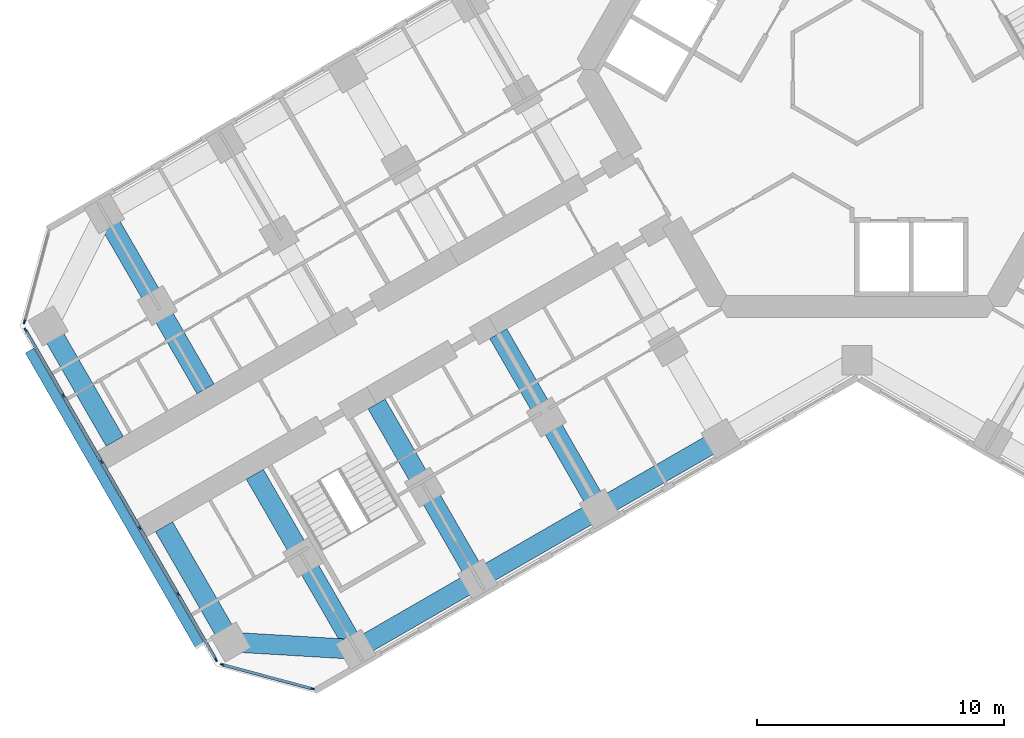
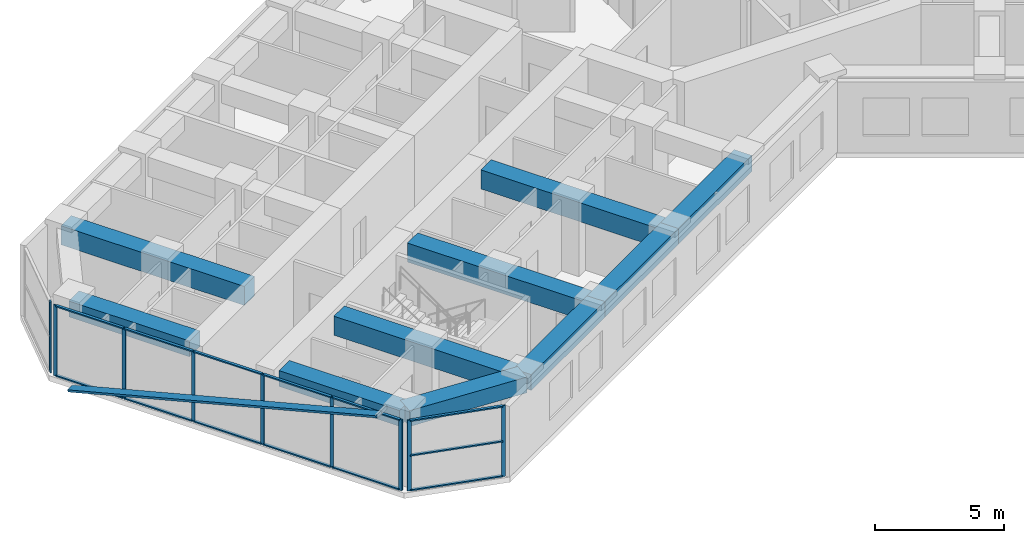
# One storey, part 2 of 20: 23 members, 10 beams, 3 elements without a shape of their own.
"""IFC4 building model written with IfcOpenShell, lengths in metres."""

from ifc_helpers import new_model, si_unit, direction, frame, origin, origin_2d, place, context, subcontext, project, spatial, rectangle, extrude, material, material_profile, profile_set, type_object, element, aggregate, save


model = new_model("IFC4")

# Units and contexts
model_context = context("Model", 3, precision=1e-05, world=origin(), true_north=direction((0.0, 1.0)))
body_context = subcontext(model_context, "Body", "Model", "MODEL_VIEW")
ifc_project = project(units=[si_unit("LENGTHUNIT", "METRE"), si_unit("AREAUNIT", "SQUARE_METRE"), si_unit("VOLUMEUNIT", "CUBIC_METRE"), si_unit("PLANEANGLEUNIT", "RADIAN"), si_unit("MASSUNIT", "GRAM", prefix="KILO")], contexts=[model_context])

# Site, building, storey
site_placement = place(None, origin())
site = spatial("IfcSite", under=ifc_project, at=site_placement, CompositionType="ELEMENT")
building_placement = place(site_placement, origin())
building = spatial("IfcBuilding", under=site, at=building_placement, Name="Kosmar Iwan School Tower", CompositionType="ELEMENT")
storey_placement = place(building_placement, frame((0.0, 0.0, 123.800048828125)))
storey = spatial("IfcBuildingStorey", under=building, at=storey_placement, Name="L30", CompositionType="ELEMENT", Elevation=123.800048828125)

# Member
ifc_material_1 = material(Name="Black anodised aluminium", Category="aluminium")
ifc_material_profile_1 = material_profile(ifc_material_1, rectangle(XDim=0.10009765625, YDim=0.39990234375, at=origin_2d()), Name="FIN 100x400")
ifc_profile_set_1 = profile_set([ifc_material_profile_1], Name="Black anodised aluminium")
member_type_1 = type_object("IfcMemberType", Name="Diagonal fin 100x400", PredefinedType="USERDEFINED", material=ifc_profile_set_1)
member_1_placement = place(storey_placement, frame((-33.54345703125, -11.40087890625, -0.150146484375), z_axis=(0.483793446988, -0.837970316603, 0.25248692866), x_axis=(-0.126241714543, 0.218661104574, 0.96760030532)))
element("IfcMember", 1, at=member_1_placement, inside=storey, type_object=member_type_1, Name="Diagonal fin L30-F13", ObjectType="FIN", PredefinedType="USERDEFINED", context=body_context, shape_type="SweptSolid", body=[
    extrude(rectangle(XDim=0.10009765625, YDim=0.39990234375, at=origin_2d()), origin(), (0.0, 0.0, 1.0), 14.258544921875),
])

# Curtain wall, member
ifc_material_2 = material(Name="Dark glass in black aluminium frame", Category="aluminium")
curtain_wall_type_1 = type_object("IfcCurtainWallType", Name="Chamfer curtain wall dark glass", PredefinedType="USERDEFINED", material=ifc_material_2)
curtain_wall_1_placement = place(storey_placement, origin())
curtain_wall_1 = element("IfcCurtainWall", 2, at=curtain_wall_1_placement, inside=storey, type_object=curtain_wall_type_1, Name="Curtain wall L30-F12", ObjectType="FACETED CURTAIN WALL", PredefinedType="USERDEFINED")
ifc_material_3 = material(Name="Black anodised aluminium", Category="aluminium")
ifc_material_profile_2 = material_profile(ifc_material_3, rectangle(XDim=0.06005859375, YDim=0.159912109375, at=origin_2d()), Name="MULLION 60x160")
ifc_profile_set_2 = profile_set([ifc_material_profile_2], Name="Black anodised aluminium")
member_type_2 = type_object("IfcMemberType", Name="Mullion 60x160", PredefinedType="MULLION", material=ifc_profile_set_2)
member_2_placement = place(storey_placement, frame((-33.7587890625, -10.2236328125, 0.0), z_axis=(0.0, 0.0, 1.0), x_axis=(0.965925875495, -0.258818861462, 0.0)))
member_2 = element("IfcMember", 3, at=member_2_placement, type_object=member_type_2, Name="CW2 mullion 2", PredefinedType="MULLION", context=body_context, shape_type="SweptSolid", body=[
    extrude(rectangle(XDim=0.06005859375, YDim=0.159912109375, at=origin_2d()), origin(), (0.0, 0.0, 1.0), 3.349853515625),
])
aggregate(curtain_wall_1, [member_2])

# Curtain wall, members
ifc_material_4 = material(Name="Dark glass in black aluminium frame", Category="aluminium")
curtain_wall_type_2 = type_object("IfcCurtainWallType", Name="Tower curtain wall dark glass", PredefinedType="USERDEFINED", material=ifc_material_4)
curtain_wall_2_placement = place(storey_placement, origin())
curtain_wall_2 = element("IfcCurtainWall", 4, at=curtain_wall_2_placement, inside=storey, type_object=curtain_wall_type_2, Name="Curtain wall L30-F13", ObjectType="UNITISED CURTAIN WALL", PredefinedType="USERDEFINED")
member_3_placement = place(storey_placement, frame((-33.71533203125, -10.55322265625, 0.0), z_axis=(0.0, 0.0, 1.0), x_axis=(0.866025405329, 0.499999997325, 0.0)))
member_3 = element("IfcMember", 5, at=member_3_placement, type_object=member_type_2, Name="CW1 mullion 1", PredefinedType="MULLION", context=body_context, shape_type="SweptSolid", body=[
    extrude(rectangle(XDim=0.06005859375, YDim=0.159912109375, at=origin_2d()), origin(), (0.0, 0.0, 1.0), 3.349853515625),
])
member_4_placement = place(storey_placement, frame((-32.1806640625, -13.21142578125, 0.0), z_axis=(0.0, 0.0, 1.0), x_axis=(0.866025405329, 0.499999997325, 0.0)))
member_4 = element("IfcMember", 6, at=member_4_placement, type_object=member_type_2, Name="CW1 mullion 2", PredefinedType="MULLION", context=body_context, shape_type="SweptSolid", body=[
    extrude(rectangle(XDim=0.06005859375, YDim=0.159912109375, at=origin_2d()), origin(), (0.0, 0.0, 1.0), 3.349853515625),
])
member_5_placement = place(storey_placement, frame((-30.631103515625, -15.8955078125, 0.0), z_axis=(0.0, 0.0, 1.0), x_axis=(0.866025405329, 0.499999997325, 0.0)))
member_5 = element("IfcMember", 7, at=member_5_placement, type_object=member_type_2, Name="CW1 mullion 3", PredefinedType="MULLION", context=body_context, shape_type="SweptSolid", body=[
    extrude(rectangle(XDim=0.06005859375, YDim=0.159912109375, at=origin_2d()), origin(), (0.0, 0.0, 1.0), 3.349853515625),
])
member_6_placement = place(storey_placement, frame((-29.081298828125, -18.57958984375, 0.0), z_axis=(0.0, 0.0, 1.0), x_axis=(0.866025405329, 0.499999997325, 0.0)))
member_6 = element("IfcMember", 8, at=member_6_placement, type_object=member_type_2, Name="CW1 mullion 4", PredefinedType="MULLION", context=body_context, shape_type="SweptSolid", body=[
    extrude(rectangle(XDim=0.06005859375, YDim=0.159912109375, at=origin_2d()), origin(), (0.0, 0.0, 1.0), 3.349853515625),
])
member_7_placement = place(storey_placement, frame((-27.53173828125, -21.263671875, 0.0), z_axis=(0.0, 0.0, 1.0), x_axis=(0.866025405329, 0.499999997325, 0.0)))
member_7 = element("IfcMember", 9, at=member_7_placement, type_object=member_type_2, Name="CW1 mullion 5", PredefinedType="MULLION", context=body_context, shape_type="SweptSolid", body=[
    extrude(rectangle(XDim=0.06005859375, YDim=0.159912109375, at=origin_2d()), origin(), (0.0, 0.0, 1.0), 3.349853515625),
])
member_8_placement = place(storey_placement, frame((-25.9970703125, -23.921630859375, 0.0), z_axis=(0.0, 0.0, 1.0), x_axis=(0.866025405329, 0.499999997325, 0.0)))
member_8 = element("IfcMember", 10, at=member_8_placement, type_object=member_type_2, Name="CW1 mullion 6", PredefinedType="MULLION", context=body_context, shape_type="SweptSolid", body=[
    extrude(rectangle(XDim=0.06005859375, YDim=0.159912109375, at=origin_2d()), origin(), (0.0, 0.0, 1.0), 3.349853515625),
])

curtain_wall_3_placement = place(storey_placement, origin())
curtain_wall_3 = element("IfcCurtainWall", 11, at=curtain_wall_3_placement, inside=storey, type_object=curtain_wall_type_1, Name="Curtain wall L30-F14", ObjectType="FACETED CURTAIN WALL", PredefinedType="USERDEFINED")
member_9_placement = place(storey_placement, frame((-25.733154296875, -24.124267578125, 0.0), z_axis=(0.0, 0.0, 1.0), x_axis=(0.258818861462, 0.965925875495, 0.0)))
member_9 = element("IfcMember", 12, at=member_9_placement, type_object=member_type_2, Name="CW2 mullion 1", PredefinedType="MULLION", context=body_context, shape_type="SweptSolid", body=[
    extrude(rectangle(XDim=0.06005859375, YDim=0.159912109375, at=origin_2d()), origin(), (0.0, 0.0, 1.0), 3.349853515625),
])
member_10_placement = place(storey_placement, frame((-22.0830078125, -25.102294921875, 0.0), z_axis=(0.0, 0.0, 1.0), x_axis=(0.258818861462, 0.965925875495, 0.0)))
member_10 = element("IfcMember", 13, at=member_10_placement, type_object=member_type_2, Name="CW2 mullion 2", PredefinedType="MULLION", context=body_context, shape_type="SweptSolid", body=[
    extrude(rectangle(XDim=0.06005859375, YDim=0.159912109375, at=origin_2d()), origin(), (0.0, 0.0, 1.0), 3.349853515625),
])

# Beams
ifc_material_5 = material(Name="Concrete C50/60", Category="concrete")
ifc_material_profile_3 = material_profile(ifc_material_5, rectangle(XDim=0.800048828125, YDim=0.75, at=origin_2d()), Name="RC 800x750")
ifc_profile_set_3 = profile_set([ifc_material_profile_3], Name="Concrete C50/60")
beam_type_1 = type_object("IfcBeamType", Name="RC edge beam 800x750", PredefinedType="BEAM", material=ifc_profile_set_3)
beam_1_placement = place(storey_placement, frame((-5.5087890625, -14.95849609375, 2.974853515625), z_axis=(-0.866033658841, -0.49998570155, 0.0), x_axis=(0.49998570155, -0.866033658841, 0.0)))
element("IfcBeam", 14, at=beam_1_placement, inside=storey, type_object=beam_type_1, Name="Edge beam BL2", PredefinedType="BEAM", context=body_context, shape_type="SweptSolid", body=[
    extrude(rectangle(XDim=0.800048828125, YDim=0.75, at=origin_2d()), origin(), (0.0, 0.0, 1.0), 5.699951171875),
])
beam_2_placement = place(storey_placement, frame((-10.445068359375, -17.808349609375, 2.974853515625), z_axis=(-0.866025820012, -0.499999279071, 0.0), x_axis=(0.499999279071, -0.866025820012, 0.0)))
element("IfcBeam", 15, at=beam_2_placement, inside=storey, type_object=beam_type_1, Name="Edge beam BL3", PredefinedType="BEAM", context=body_context, shape_type="SweptSolid", body=[
    extrude(rectangle(XDim=0.800048828125, YDim=0.75, at=origin_2d()), origin(), (0.0, 0.0, 1.0), 5.7001953125),
])
beam_3_placement = place(storey_placement, frame((-15.381591796875, -20.658447265625, 2.974853515625), z_axis=(-0.866015111908, -0.50001782563, 0.0), x_axis=(0.50001782563, -0.866015111908, 0.0)))
element("IfcBeam", 16, at=beam_3_placement, inside=storey, type_object=beam_type_1, Name="Edge beam BL4", PredefinedType="BEAM", context=body_context, shape_type="SweptSolid", body=[
    extrude(rectangle(XDim=0.800048828125, YDim=0.75, at=origin_2d()), origin(), (0.0, 0.0, 1.0), 5.699951171875),
])
ifc_material_6 = material(Name="Concrete C50/60", Category="concrete")
ifc_material_profile_4 = material_profile(ifc_material_6, rectangle(XDim=0.800048828125, YDim=0.75, at=origin_2d()), Name="RC 800x750")
ifc_profile_set_4 = profile_set([ifc_material_profile_4], Name="Concrete C50/60")
beam_type_2 = type_object("IfcBeamType", Name="RC tip beam 800x750", PredefinedType="BEAM", material=ifc_profile_set_4)
beam_4_placement = place(storey_placement, frame((-20.31787109375, -23.508544921875, 2.974853515625), z_axis=(-0.998260616478, 0.058955420358, 0.0), x_axis=(-0.058955420358, -0.998260616478, 0.0)))
element("IfcBeam", 17, at=beam_4_placement, inside=storey, type_object=beam_type_2, Name="Tip beam BL", PredefinedType="BEAM", context=body_context, shape_type="SweptSolid", body=[
    extrude(rectangle(XDim=0.800048828125, YDim=0.75, at=origin_2d()), origin(), (0.0, 0.0, 1.0), 5.08935546875),
])
for number, where, z_axis, x_axis, name in (
    (18, (-25.3984375, -23.20849609375, 2.974853515625), (-0.499995103361, 0.866028230842, 0.0), (-0.866028230842, -0.499995103361, 0.0), "Tip beam BL to corridor wall"),
    (19, (-32.79833984375, -10.391357421875, 2.974853515625), (0.499995103361, -0.866028230842, 0.0), (0.866028230842, 0.499995103361, 0.0), "Tip beam BR to corridor wall"),
):
    element("IfcBeam", number, at=place(storey_placement, frame(where, z_axis=z_axis, x_axis=x_axis)), inside=storey, type_object=beam_type_2, Name=name, PredefinedType="BEAM", context=body_context, shape_type="SweptSolid", body=[
        extrude(rectangle(XDim=0.800048828125, YDim=0.75, at=origin_2d()), origin(), (0.0, 0.0, 1.0), 5.39990234375),
    ])
ifc_material_7 = material(Name="Concrete C50/60", Category="concrete")
ifc_material_profile_5 = material_profile(ifc_material_7, rectangle(XDim=0.800048828125, YDim=0.89990234375, at=origin_2d()), Name="RC 800x900")
ifc_profile_set_5 = profile_set([ifc_material_profile_5], Name="Concrete C50/60")
beam_type_3 = type_object("IfcBeamType", Name="RC transverse beam 800x900", PredefinedType="BEAM", material=ifc_profile_set_5)
for number, where, z_axis, x_axis, name in (
    (20, (-10.445068359375, -17.808349609375, 2.89990234375), (-0.500013681986, 0.866017504342, 0.0), (-0.866017504342, -0.500013681986, 0.0), "Transverse beam BL2"),
    (21, (-15.381591796875, -20.658447265625, 2.89990234375), (-0.49999135188, 0.866030396721, 0.0), (-0.866030396721, -0.49999135188, 0.0), "Transverse beam BL3"),
    (22, (-20.31787109375, -23.508544921875, 2.89990234375), (-0.499978459874, 0.866037839625, 0.0), (-0.866037839625, -0.499978459874, 0.0), "Transverse beam BL4"),
    (23, (-30.517822265625, -5.841552734375, 2.89990234375), (0.500013681986, -0.866017504342, 0.0), (0.866017504342, 0.500013681986, 0.0), "Transverse beam BR4"),
):
    element("IfcBeam", number, at=place(storey_placement, frame(where, z_axis=z_axis, x_axis=x_axis)), inside=storey, type_object=beam_type_3, Name=name, PredefinedType="BEAM", context=body_context, shape_type="SweptSolid", body=[
        extrude(rectangle(XDim=0.800048828125, YDim=0.89990234375, at=origin_2d()), origin(), (0.0, 0.0, 1.0), 8.199951171875),
    ])

# Member
ifc_material_8 = material(Name="Black anodised aluminium", Category="aluminium")
ifc_material_profile_6 = material_profile(ifc_material_8, rectangle(XDim=0.1201171875, YDim=0.06005859375, at=origin_2d()), Name="TRANSOM 60x120")
ifc_profile_set_6 = profile_set([ifc_material_profile_6], Name="Black anodised aluminium")
member_type_3 = type_object("IfcMemberType", Name="Transom 60x120", PredefinedType="USERDEFINED", material=ifc_profile_set_6)
member_11_placement = place(storey_placement, frame((-33.700439453125, -10.579345703125, 0.030029296875), z_axis=(0.500022102064, -0.866012642776, 0.0), x_axis=(0.866012642776, 0.500022102064, 0.0)))
member_11 = element("IfcMember", 24, at=member_11_placement, type_object=member_type_3, Name="CW1 transom 1.1", ObjectType="TRANSOM", PredefinedType="USERDEFINED", context=body_context, shape_type="SweptSolid", body=[
    extrude(rectangle(XDim=0.1201171875, YDim=0.06005859375, at=origin_2d()), origin(), (0.0, 0.0, 1.0), 3.009033203125),
])

member_12_placement = place(storey_placement, frame((-33.700439453125, -10.579345703125, 3.320068359375), z_axis=(0.500022102064, -0.866012642776, 0.0), x_axis=(0.866012642776, 0.500022102064, 0.0)))
member_12 = element("IfcMember", 25, at=member_12_placement, type_object=member_type_3, Name="CW1 transom 1.2", ObjectType="TRANSOM", PredefinedType="USERDEFINED", context=body_context, shape_type="SweptSolid", body=[
    extrude(rectangle(XDim=0.1201171875, YDim=0.06005859375, at=origin_2d()), origin(), (0.0, 0.0, 1.0), 3.009033203125),
])

member_13_placement = place(storey_placement, frame((-32.165771484375, -13.2373046875, 0.030029296875), z_axis=(0.500035348339, -0.866004994449, 0.0), x_axis=(0.866004994449, 0.500035348339, 0.0)))
member_13 = element("IfcMember", 26, at=member_13_placement, type_object=member_type_3, Name="CW1 transom 2.1", ObjectType="TRANSOM", PredefinedType="USERDEFINED", context=body_context, shape_type="SweptSolid", body=[
    extrude(rectangle(XDim=0.1201171875, YDim=0.06005859375, at=origin_2d()), origin(), (0.0, 0.0, 1.0), 3.039306640625),
])

member_14_placement = place(storey_placement, frame((-32.165771484375, -13.2373046875, 3.320068359375), z_axis=(0.500035348339, -0.866004994449, 0.0), x_axis=(0.866004994449, 0.500035348339, 0.0)))
member_14 = element("IfcMember", 27, at=member_14_placement, type_object=member_type_3, Name="CW1 transom 2.2", ObjectType="TRANSOM", PredefinedType="USERDEFINED", context=body_context, shape_type="SweptSolid", body=[
    extrude(rectangle(XDim=0.1201171875, YDim=0.06005859375, at=origin_2d()), origin(), (0.0, 0.0, 1.0), 3.039306640625),
])

member_15_placement = place(storey_placement, frame((-30.615966796875, -15.92138671875, 0.030029296875), z_axis=(0.499975102327, -0.866039777986, 0.0), x_axis=(0.866039777986, 0.499975102327, 0.0)))
member_15 = element("IfcMember", 28, at=member_15_placement, type_object=member_type_3, Name="CW1 transom 3.1", ObjectType="TRANSOM", PredefinedType="USERDEFINED", context=body_context, shape_type="SweptSolid", body=[
    extrude(rectangle(XDim=0.1201171875, YDim=0.06005859375, at=origin_2d()), origin(), (0.0, 0.0, 1.0), 3.039306640625),
])

member_16_placement = place(storey_placement, frame((-30.615966796875, -15.92138671875, 3.320068359375), z_axis=(0.499975102327, -0.866039777986, 0.0), x_axis=(0.866039777986, 0.499975102327, 0.0)))
member_16 = element("IfcMember", 29, at=member_16_placement, type_object=member_type_3, Name="CW1 transom 3.2", ObjectType="TRANSOM", PredefinedType="USERDEFINED", context=body_context, shape_type="SweptSolid", body=[
    extrude(rectangle(XDim=0.1201171875, YDim=0.06005859375, at=origin_2d()), origin(), (0.0, 0.0, 1.0), 3.039306640625),
])

member_17_placement = place(storey_placement, frame((-29.06640625, -18.60546875, 0.030029296875), z_axis=(0.499975102327, -0.866039777986, 0.0), x_axis=(0.866039777986, 0.499975102327, 0.0)))
member_17 = element("IfcMember", 30, at=member_17_placement, type_object=member_type_3, Name="CW1 transom 4.1", ObjectType="TRANSOM", PredefinedType="USERDEFINED", context=body_context, shape_type="SweptSolid", body=[
    extrude(rectangle(XDim=0.1201171875, YDim=0.06005859375, at=origin_2d()), origin(), (0.0, 0.0, 1.0), 3.039306640625),
])

member_18_placement = place(storey_placement, frame((-29.06640625, -18.60546875, 3.320068359375), z_axis=(0.499975102327, -0.866039777986, 0.0), x_axis=(0.866039777986, 0.499975102327, 0.0)))
member_18 = element("IfcMember", 31, at=member_18_placement, type_object=member_type_3, Name="CW1 transom 4.2", ObjectType="TRANSOM", PredefinedType="USERDEFINED", context=body_context, shape_type="SweptSolid", body=[
    extrude(rectangle(XDim=0.1201171875, YDim=0.06005859375, at=origin_2d()), origin(), (0.0, 0.0, 1.0), 3.039306640625),
])

member_19_placement = place(storey_placement, frame((-27.516845703125, -21.28955078125, 0.030029296875), z_axis=(0.499986971506, -0.866032925658, 0.0), x_axis=(0.866032925658, 0.499986971506, 0.0)))
member_19 = element("IfcMember", 32, at=member_19_placement, type_object=member_type_3, Name="CW1 transom 5.1", ObjectType="TRANSOM", PredefinedType="USERDEFINED", context=body_context, shape_type="SweptSolid", body=[
    extrude(rectangle(XDim=0.1201171875, YDim=0.06005859375, at=origin_2d()), origin(), (0.0, 0.0, 1.0), 3.00927734375),
])

member_20_placement = place(storey_placement, frame((-27.516845703125, -21.28955078125, 3.320068359375), z_axis=(0.499986971506, -0.866032925658, 0.0), x_axis=(0.866032925658, 0.499986971506, 0.0)))
member_20 = element("IfcMember", 33, at=member_20_placement, type_object=member_type_3, Name="CW1 transom 5.2", ObjectType="TRANSOM", PredefinedType="USERDEFINED", context=body_context, shape_type="SweptSolid", body=[
    extrude(rectangle(XDim=0.1201171875, YDim=0.06005859375, at=origin_2d()), origin(), (0.0, 0.0, 1.0), 3.00927734375),
])

aggregate(curtain_wall_2, [member_3, member_4, member_5, member_6, member_7, member_8, member_11, member_12, member_13, member_14, member_15, member_16, member_17, member_18, member_19, member_20])

member_21_placement = place(storey_placement, frame((-25.704345703125, -24.1318359375, 0.030029296875), z_axis=(0.965923731726, -0.258826861991, 0.0), x_axis=(0.258826861991, 0.965923731726, 0.0)))
member_21 = element("IfcMember", 34, at=member_21_placement, type_object=member_type_3, Name="CW2 transom 1.1", ObjectType="TRANSOM", PredefinedType="USERDEFINED", context=body_context, shape_type="SweptSolid", body=[
    extrude(rectangle(XDim=0.1201171875, YDim=0.06005859375, at=origin_2d()), origin(), (0.0, 0.0, 1.0), 3.71923828125),
])

member_22_placement = place(storey_placement, frame((-25.704345703125, -24.1318359375, 1.675048828125), z_axis=(0.965923731726, -0.258826861991, 0.0), x_axis=(0.258826861991, 0.965923731726, 0.0)))
member_22 = element("IfcMember", 35, at=member_22_placement, type_object=member_type_3, Name="CW2 transom 1.2", ObjectType="TRANSOM", PredefinedType="USERDEFINED", context=body_context, shape_type="SweptSolid", body=[
    extrude(rectangle(XDim=0.1201171875, YDim=0.06005859375, at=origin_2d()), origin(), (0.0, 0.0, 1.0), 3.71923828125),
])

member_23_placement = place(storey_placement, frame((-25.704345703125, -24.1318359375, 3.320068359375), z_axis=(0.965923731726, -0.258826861991, 0.0), x_axis=(0.258826861991, 0.965923731726, 0.0)))
member_23 = element("IfcMember", 36, at=member_23_placement, type_object=member_type_3, Name="CW2 transom 1.3", ObjectType="TRANSOM", PredefinedType="USERDEFINED", context=body_context, shape_type="SweptSolid", body=[
    extrude(rectangle(XDim=0.1201171875, YDim=0.06005859375, at=origin_2d()), origin(), (0.0, 0.0, 1.0), 3.71923828125),
])

aggregate(curtain_wall_3, [member_9, member_10, member_21, member_22, member_23])

save(model, "model.ifc")
